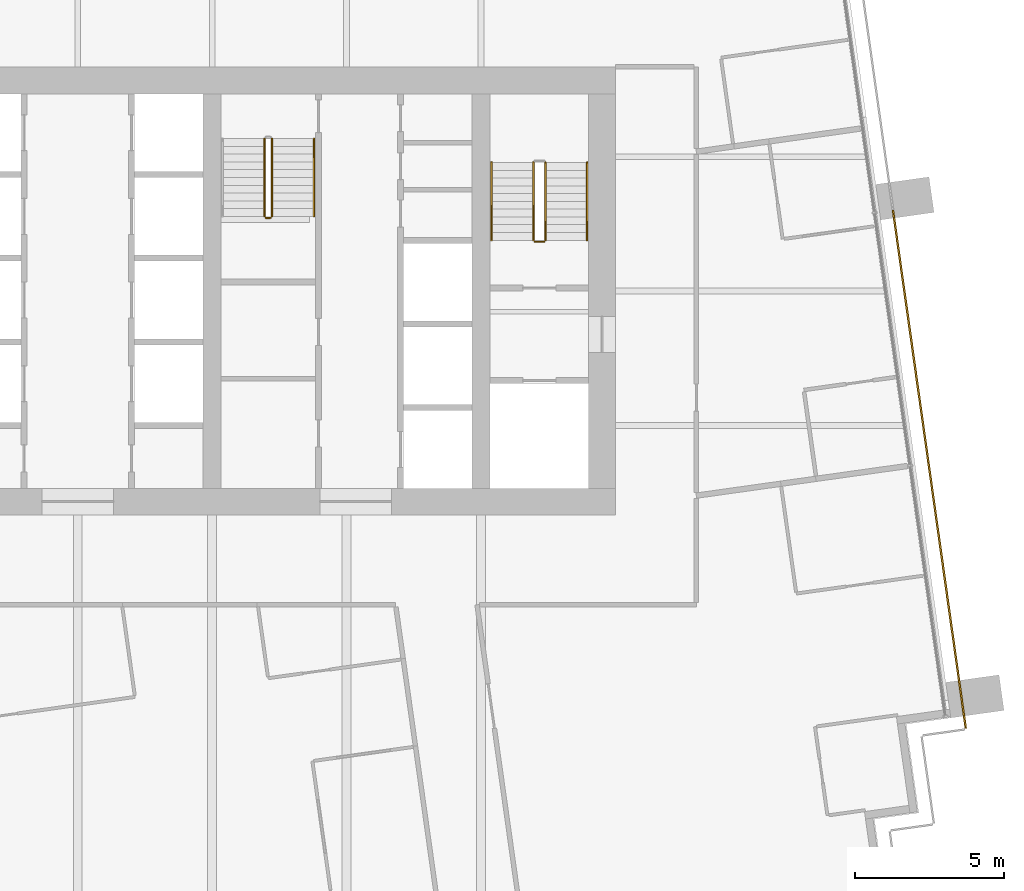
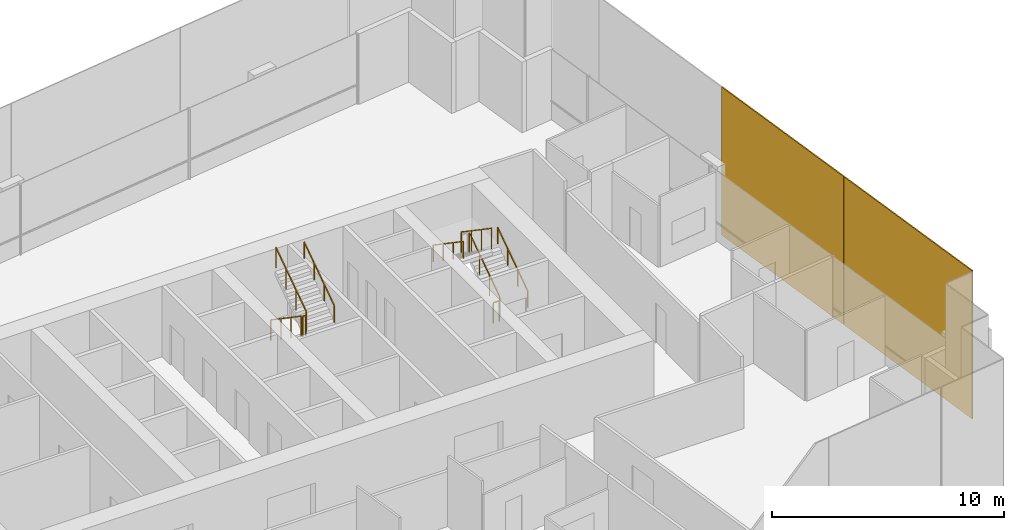
# One storey, part 15 of 17: 9 railings, 2 coverings.
"""IFC4 building model written with IfcOpenShell, lengths in metres."""

from ifc_helpers import new_model, si_unit, direction, frame, origin, origin_2d, place, context, subcontext, project, spatial, rectangle, extrude, material, layer, layer_set, type_object, element, save


model = new_model("IFC4")

# Units and contexts
model_context = context("Model", 3, precision=1e-05, world=origin(), true_north=direction((0.0, 1.0)))
body_context = subcontext(model_context, "Body", "Model", "MODEL_VIEW")
ifc_project = project(units=[si_unit("LENGTHUNIT", "METRE"), si_unit("AREAUNIT", "SQUARE_METRE"), si_unit("VOLUMEUNIT", "CUBIC_METRE"), si_unit("PLANEANGLEUNIT", "RADIAN"), si_unit("MASSUNIT", "GRAM", prefix="KILO")], contexts=[model_context])

# Site, building, storey
site_placement = place(None, origin())
site = spatial("IfcSite", under=ifc_project, at=site_placement, CompositionType="ELEMENT")
building_placement = place(site_placement, origin())
building = spatial("IfcBuilding", under=site, at=building_placement, Name="Rattan Terrace Tower", CompositionType="ELEMENT")
storey_placement = place(building_placement, frame((0.0, 0.0, 180.199951171875)))
storey = spatial("IfcBuildingStorey", under=building, at=storey_placement, Name="L41", CompositionType="ELEMENT", Elevation=180.199951171875)

# Railings
ifc_material_1 = material(Name="Powder-coated steel guard", Category="steel")
railing_type_1 = type_object("IfcRailingType", Name="Core stair guard", PredefinedType="GUARDRAIL", material=ifc_material_1)
railing_1_placement = place(storey_placement, frame((15.64990234375, 1.699951171875, 0.17724609375)))
element("IfcRailing", 1, at=railing_1_placement, inside=storey, type_object=railing_type_1, Name="L41 S2 stair guard 1", PredefinedType="GUARDRAIL", context=body_context, shape_type="SweptSolid", body=[
    extrude(rectangle(XDim=0.048095703125, YDim=0.048095703125, at=origin_2d()), frame((0.0, 0.0, 1.076171875), z_axis=(0.0, 0.826240473404, 0.563317565952), x_axis=(-1.0, 0.0, 0.0)), (0.0, 0.0, 1.0), 3.14697265625),
    extrude(rectangle(XDim=0.0419921875, YDim=0.0419921875, at=origin_2d()), origin(), (0.0, 0.0, 1.0), 1.052001953125),
    extrude(rectangle(XDim=0.0419921875, YDim=0.0419921875, at=origin_2d()), frame((0.0, 0.86669921875, 0.5908203125)), (0.0, 0.0, 1.0), 1.052001953125),
    extrude(rectangle(XDim=0.0419921875, YDim=0.0419921875, at=origin_2d()), frame((0.0, 1.7333984375, 1.181884765625)), (0.0, 0.0, 1.0), 1.052001953125),
    extrude(rectangle(XDim=0.0419921875, YDim=0.0419921875, at=origin_2d()), frame((0.0, 2.60009765625, 1.772705078125)), (0.0, 0.0, 1.0), 1.052001953125),
])
railing_2_placement = place(storey_placement, frame((15.25, 4.300048828125, 2.12744140625)))
element("IfcRailing", 2, at=railing_2_placement, inside=storey, type_object=railing_type_1, Name="L41 S2 stair guard 3", PredefinedType="GUARDRAIL", context=body_context, shape_type="SweptSolid", body=[
    extrude(rectangle(XDim=0.048095703125, YDim=0.048095703125, at=origin_2d()), frame((0.0, 0.0, 1.076171875), z_axis=(0.0, -0.826240473404, 0.563317565952), x_axis=(1.0, 0.0, 0.0)), (0.0, 0.0, 1.0), 3.14697265625),
    extrude(rectangle(XDim=0.0419921875, YDim=0.0419921875, at=origin_2d()), origin(), (0.0, 0.0, 1.0), 1.052001953125),
    extrude(rectangle(XDim=0.0419921875, YDim=0.0419921875, at=origin_2d()), frame((0.0, -0.86669921875, 0.5908203125)), (0.0, 0.0, 1.0), 1.052001953125),
    extrude(rectangle(XDim=0.0419921875, YDim=0.0419921875, at=origin_2d()), frame((0.0, -1.7333984375, 1.181884765625)), (0.0, 0.0, 1.0), 1.052001953125),
    extrude(rectangle(XDim=0.0419921875, YDim=0.0419921875, at=origin_2d()), frame((0.0, -2.60009765625, 1.772705078125)), (0.0, 0.0, 1.0), 1.052001953125),
])
railing_3_placement = place(storey_placement, frame((15.60009765625, 1.64990234375, 0.0)))
element("IfcRailing", 3, at=railing_3_placement, inside=storey, type_object=railing_type_1, Name="L41 S2 stair guard 4", PredefinedType="GUARDRAIL", context=body_context, shape_type="SweptSolid", body=[
    extrude(rectangle(XDim=0.048095703125, YDim=0.048095703125, at=origin_2d()), frame((0.0, 0.0, 1.076171875), z_axis=(-1.0, 0.0, 0.0), x_axis=(0.0, -1.0, 0.0)), (0.0, 0.0, 1.0), 0.300048828125),
    extrude(rectangle(XDim=0.0419921875, YDim=0.0419921875, at=origin_2d()), origin(), (0.0, 0.0, 1.0), 1.052001953125),
    extrude(rectangle(XDim=0.0419921875, YDim=0.0419921875, at=origin_2d()), frame((-0.300048828125, 0.0, 0.0)), (0.0, 0.0, 1.0), 1.052001953125),
])
railing_4_placement = place(storey_placement, frame((6.25, 5.10009765625, 0.17724609375)))
element("IfcRailing", 4, at=railing_4_placement, inside=storey, type_object=railing_type_1, Name="L41 S3 stair guard 1", PredefinedType="GUARDRAIL", context=body_context, shape_type="SweptSolid", body=[
    extrude(rectangle(XDim=0.048095703125, YDim=0.048095703125, at=origin_2d()), frame((0.0, 0.0, 1.076171875), z_axis=(0.0, -0.826240473404, 0.563317565952), x_axis=(1.0, 0.0, 0.0)), (0.0, 0.0, 1.0), 3.14697265625),
    extrude(rectangle(XDim=0.0419921875, YDim=0.0419921875, at=origin_2d()), origin(), (0.0, 0.0, 1.0), 1.052001953125),
    extrude(rectangle(XDim=0.0419921875, YDim=0.0419921875, at=origin_2d()), frame((0.0, -0.86669921875, 0.5908203125)), (0.0, 0.0, 1.0), 1.052001953125),
    extrude(rectangle(XDim=0.0419921875, YDim=0.0419921875, at=origin_2d()), frame((0.0, -1.7333984375, 1.181884765625)), (0.0, 0.0, 1.0), 1.052001953125),
    extrude(rectangle(XDim=0.0419921875, YDim=0.0419921875, at=origin_2d()), frame((0.0, -2.60009765625, 1.772705078125)), (0.0, 0.0, 1.0), 1.052001953125),
])
railing_5_placement = place(storey_placement, frame((6.300048828125, 2.449951171875, 1.949951171875)))
element("IfcRailing", 5, at=railing_5_placement, inside=storey, type_object=railing_type_1, Name="L41 S3 stair guard 2", PredefinedType="GUARDRAIL", context=body_context, shape_type="SweptSolid", body=[
    extrude(rectangle(XDim=0.048095703125, YDim=0.048095703125, at=origin_2d()), frame((0.0, 0.0, 1.076171875), z_axis=(1.0, 0.0, 0.0), x_axis=(0.0, 1.0, 0.0)), (0.0, 0.0, 1.0), 0.14990234375),
    extrude(rectangle(XDim=0.0419921875, YDim=0.0419921875, at=origin_2d()), origin(), (0.0, 0.0, 1.0), 1.052001953125),
    extrude(rectangle(XDim=0.0419921875, YDim=0.0419921875, at=origin_2d()), frame((0.14990234375, 0.0, 0.0)), (0.0, 0.0, 1.0), 1.052001953125),
])
railing_6_placement = place(storey_placement, frame((6.5, 2.5, 2.12744140625)))
element("IfcRailing", 6, at=railing_6_placement, inside=storey, type_object=railing_type_1, Name="L41 S3 stair guard 3", PredefinedType="GUARDRAIL", context=body_context, shape_type="SweptSolid", body=[
    extrude(rectangle(XDim=0.048095703125, YDim=0.048095703125, at=origin_2d()), frame((0.0, 0.0, 1.076171875), z_axis=(0.0, 0.826240473404, 0.563317565952), x_axis=(-1.0, 0.0, 0.0)), (0.0, 0.0, 1.0), 3.14697265625),
    extrude(rectangle(XDim=0.0419921875, YDim=0.0419921875, at=origin_2d()), origin(), (0.0, 0.0, 1.0), 1.052001953125),
    extrude(rectangle(XDim=0.0419921875, YDim=0.0419921875, at=origin_2d()), frame((0.0, 0.86669921875, 0.5908203125)), (0.0, 0.0, 1.0), 1.052001953125),
    extrude(rectangle(XDim=0.0419921875, YDim=0.0419921875, at=origin_2d()), frame((0.0, 1.7333984375, 1.181884765625)), (0.0, 0.0, 1.0), 1.052001953125),
    extrude(rectangle(XDim=0.0419921875, YDim=0.0419921875, at=origin_2d()), frame((0.0, 2.60009765625, 1.772705078125)), (0.0, 0.0, 1.0), 1.052001953125),
])
ifc_material_2 = material(Name="Powder-coated steel handrail", Category="steel")
railing_type_2 = type_object("IfcRailingType", Name="Core stair handrail", PredefinedType="HANDRAIL", material=ifc_material_2)
railing_7_placement = place(storey_placement, frame((17.050048828125, 1.699951171875, 0.17724609375)))
element("IfcRailing", 7, at=railing_7_placement, inside=storey, type_object=railing_type_2, Name="L41 S2 stair handrail 1", PredefinedType="HANDRAIL", context=body_context, shape_type="SweptSolid", body=[
    extrude(rectangle(XDim=0.048095703125, YDim=0.048095703125, at=origin_2d()), frame((0.0, 0.0, 0.8759765625), z_axis=(0.0, 0.826240473404, 0.563317565952), x_axis=(-1.0, 0.0, 0.0)), (0.0, 0.0, 1.0), 3.14697265625),
    extrude(rectangle(XDim=0.0419921875, YDim=0.0419921875, at=origin_2d()), origin(), (0.0, 0.0, 1.0), 0.851806640625),
    extrude(rectangle(XDim=0.0419921875, YDim=0.0419921875, at=origin_2d()), frame((0.0, 0.86669921875, 0.5908203125)), (0.0, 0.0, 1.0), 0.851806640625),
    extrude(rectangle(XDim=0.0419921875, YDim=0.0419921875, at=origin_2d()), frame((0.0, 1.7333984375, 1.181884765625)), (0.0, 0.0, 1.0), 0.851806640625),
    extrude(rectangle(XDim=0.0419921875, YDim=0.0419921875, at=origin_2d()), frame((0.0, 2.60009765625, 1.772705078125)), (0.0, 0.0, 1.0), 0.851806640625),
])
railing_8_placement = place(storey_placement, frame((13.85009765625, 4.300048828125, 2.12744140625)))
element("IfcRailing", 8, at=railing_8_placement, inside=storey, type_object=railing_type_2, Name="L41 S2 stair handrail 2", PredefinedType="HANDRAIL", context=body_context, shape_type="SweptSolid", body=[
    extrude(rectangle(XDim=0.048095703125, YDim=0.048095703125, at=origin_2d()), frame((0.0, 0.0, 0.8759765625), z_axis=(0.0, -0.826240473404, 0.563317565952), x_axis=(1.0, 0.0, 0.0)), (0.0, 0.0, 1.0), 3.14697265625),
    extrude(rectangle(XDim=0.0419921875, YDim=0.0419921875, at=origin_2d()), origin(), (0.0, 0.0, 1.0), 0.851806640625),
    extrude(rectangle(XDim=0.0419921875, YDim=0.0419921875, at=origin_2d()), frame((0.0, -0.86669921875, 0.5908203125)), (0.0, 0.0, 1.0), 0.851806640625),
    extrude(rectangle(XDim=0.0419921875, YDim=0.0419921875, at=origin_2d()), frame((0.0, -1.7333984375, 1.181884765625)), (0.0, 0.0, 1.0), 0.851806640625),
    extrude(rectangle(XDim=0.0419921875, YDim=0.0419921875, at=origin_2d()), frame((0.0, -2.60009765625, 1.772705078125)), (0.0, 0.0, 1.0), 0.851806640625),
])
railing_9_placement = place(storey_placement, frame((7.89990234375, 2.5, 2.12744140625)))
element("IfcRailing", 9, at=railing_9_placement, inside=storey, type_object=railing_type_2, Name="L41 S3 stair handrail 2", PredefinedType="HANDRAIL", context=body_context, shape_type="SweptSolid", body=[
    extrude(rectangle(XDim=0.048095703125, YDim=0.048095703125, at=origin_2d()), frame((0.0, 0.0, 0.8759765625), z_axis=(0.0, 0.826240473404, 0.563317565952), x_axis=(-1.0, 0.0, 0.0)), (0.0, 0.0, 1.0), 3.14697265625),
    extrude(rectangle(XDim=0.0419921875, YDim=0.0419921875, at=origin_2d()), origin(), (0.0, 0.0, 1.0), 0.851806640625),
    extrude(rectangle(XDim=0.0419921875, YDim=0.0419921875, at=origin_2d()), frame((0.0, 0.86669921875, 0.5908203125)), (0.0, 0.0, 1.0), 0.851806640625),
    extrude(rectangle(XDim=0.0419921875, YDim=0.0419921875, at=origin_2d()), frame((0.0, 1.7333984375, 1.181884765625)), (0.0, 0.0, 1.0), 0.851806640625),
    extrude(rectangle(XDim=0.0419921875, YDim=0.0419921875, at=origin_2d()), frame((0.0, 2.60009765625, 1.772705078125)), (0.0, 0.0, 1.0), 0.851806640625),
])

# Coverings
ifc_material_3 = material(Name="Perforated terracotta", Category="masonry")
ifc_layer = layer(ifc_material_3, 0.06005859375)
ifc_layer_set = layer_set([ifc_layer], Name="Facade Terracotta Screen Panel")
covering_type = type_object("IfcCoveringType", Name="Facade Terracotta Screen Panel", PredefinedType="CLADDING", material=ifc_layer_set)
covering_1_placement = place(storey_placement, frame((29.095703125, -10.19580078125, -0.18994140625), z_axis=(0.0, 0.0, 1.0), x_axis=(-0.139190856006, 0.99026557327, 0.0)))
element("IfcCovering", 10, at=covering_1_placement, inside=storey, type_object=covering_type, Name="OUTER SKIN panel L41-6", PredefinedType="CLADDING", context=body_context, shape_type="SweptSolid", body=[
    extrude(rectangle(XDim=8.949951171875, YDim=0.06005859375, at=origin_2d()), origin(), (0.0, 0.0, 1.0), 7.780029296875),
])
covering_2_placement = place(storey_placement, frame((27.87646484375, -1.521240234375, -0.18994140625), z_axis=(0.0, 0.0, 1.0), x_axis=(-0.139190856006, 0.99026557327, 0.0)))
element("IfcCovering", 11, at=covering_2_placement, inside=storey, type_object=covering_type, Name="OUTER SKIN panel L41-7", PredefinedType="CLADDING", context=body_context, shape_type="SweptSolid", body=[
    extrude(rectangle(XDim=8.530029296875, YDim=0.06005859375, at=origin_2d()), origin(), (0.0, 0.0, 1.0), 7.780029296875),
])

save(model, "model.ifc")
